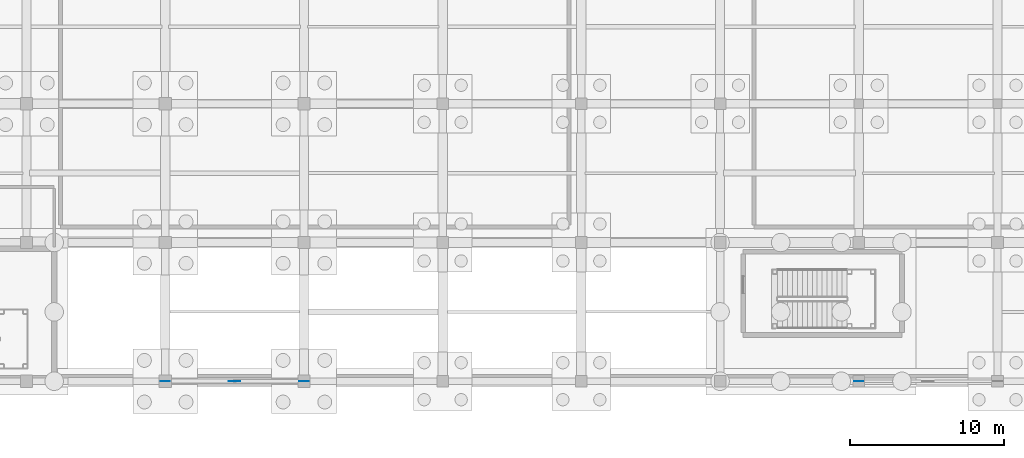
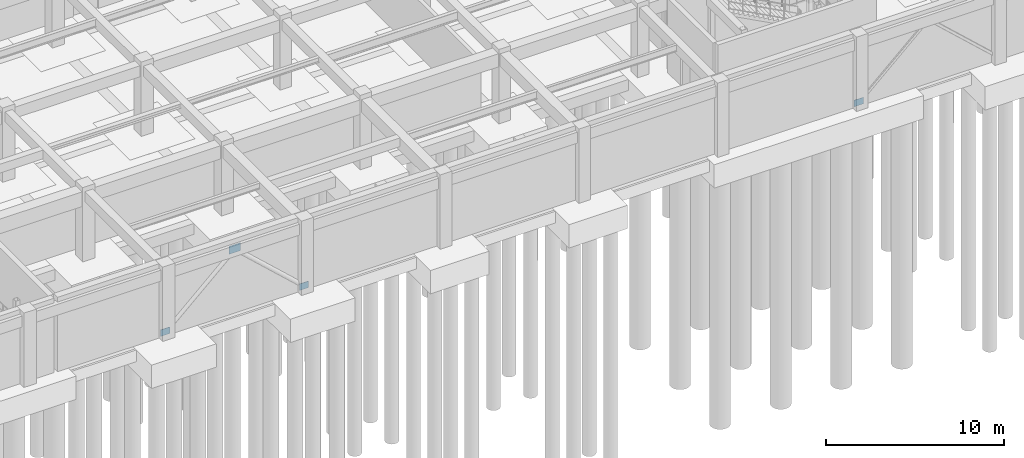
# One storey, part 37 of 62: 4 plates.
"""IFC4 building model written with IfcOpenShell, lengths in metres."""

from ifc_helpers import new_model, si_unit, direction, frame, origin, origin_2d, place, context, subcontext, project, spatial, rectangle, extrude, material, layer, layer_set, type_object, element, save


model = new_model("IFC4")

# Units and contexts
model_context = context("Model", 3, precision=1e-05, world=origin(), true_north=direction((0.0, 1.0)))
body_context = subcontext(model_context, "Body", "Model", "MODEL_VIEW")
ifc_project = project(units=[si_unit("LENGTHUNIT", "METRE"), si_unit("AREAUNIT", "SQUARE_METRE"), si_unit("VOLUMEUNIT", "CUBIC_METRE"), si_unit("PLANEANGLEUNIT", "RADIAN"), si_unit("MASSUNIT", "GRAM", prefix="KILO")], contexts=[model_context])

# Site, building, storey
site_placement = place(None, origin())
site = spatial("IfcSite", under=ifc_project, at=site_placement, CompositionType="ELEMENT")
building_placement = place(site_placement, origin())
building = spatial("IfcBuilding", under=site, at=building_placement, Name="Miravela Opera House", CompositionType="ELEMENT")
storey_placement = place(building_placement, frame((0.0, 0.0, -5.10009765625)))
storey = spatial("IfcBuildingStorey", under=building, at=storey_placement, Name="B01", CompositionType="ELEMENT", Elevation=-5.10009765625)

# Plates
ifc_material = material(Name="Structural steel ASTM A572 Gr. 50", Category="steel")
ifc_layer_1 = layer(ifc_material, 0.01806640625)
ifc_layer_set_1 = layer_set([ifc_layer_1])
plate_type_1 = type_object("IfcPlateType", Name="STR-PL-GUS-600X450X18", PredefinedType="USERDEFINED", material=ifc_layer_set_1)
for number, where, z_axis, x_axis, name in (
    (1, (81.0, 0.0, 0.0751953125), (0.0, 0.0, 1.0), (1.0, 0.0, 0.0), "Brace Wall Cast-In Embed Plate 295"),
    (2, (90.0, 0.0, 0.0751953125), (0.0, 0.0, 1.0), (1.0, 0.0, 0.0), "Brace Wall Cast-In Embed Plate 296"),
    (3, (126.0, 0.0, 0.0751953125), (0.0, 0.0, 1.0), (1.0, 0.0, 0.0), "Brace Wall Cast-In Embed Plate 307"),
):
    element("IfcPlate", number, at=place(storey_placement, frame(where, z_axis=z_axis, x_axis=x_axis)), inside=storey, type_object=plate_type_1, Name=name, ObjectType="GUSSET PLATE", PredefinedType="USERDEFINED", context=body_context, shape_type="SweptSolid", body=[
        extrude(rectangle(XDim=0.60009765625, YDim=0.01806640625, at=origin_2d()), origin(), (0.0, 0.0, 1.0), 0.449951171875),
    ])
ifc_layer_2 = layer(ifc_material, 0.02001953125)
ifc_layer_set_2 = layer_set([ifc_layer_2])
plate_type_2 = type_object("IfcPlateType", Name="STR-PL-GUS-750X550X20", PredefinedType="USERDEFINED", material=ifc_layer_set_2)
plate_placement = place(storey_placement, frame((85.5, 0.0, 4.1552734375), z_axis=(0.0, 0.0, 1.0), x_axis=(1.0, 0.0, 0.0)))
element("IfcPlate", 4, at=plate_placement, inside=storey, type_object=plate_type_2, Name="Chevron Brace Apex Gusset Plate 294", ObjectType="GUSSET PLATE", PredefinedType="USERDEFINED", context=body_context, shape_type="SweptSolid", body=[
    extrude(rectangle(XDim=0.75, YDim=0.02001953125, at=origin_2d()), origin(), (0.0, 0.0, 1.0), 0.550048828125),
])

save(model, "model.ifc")
